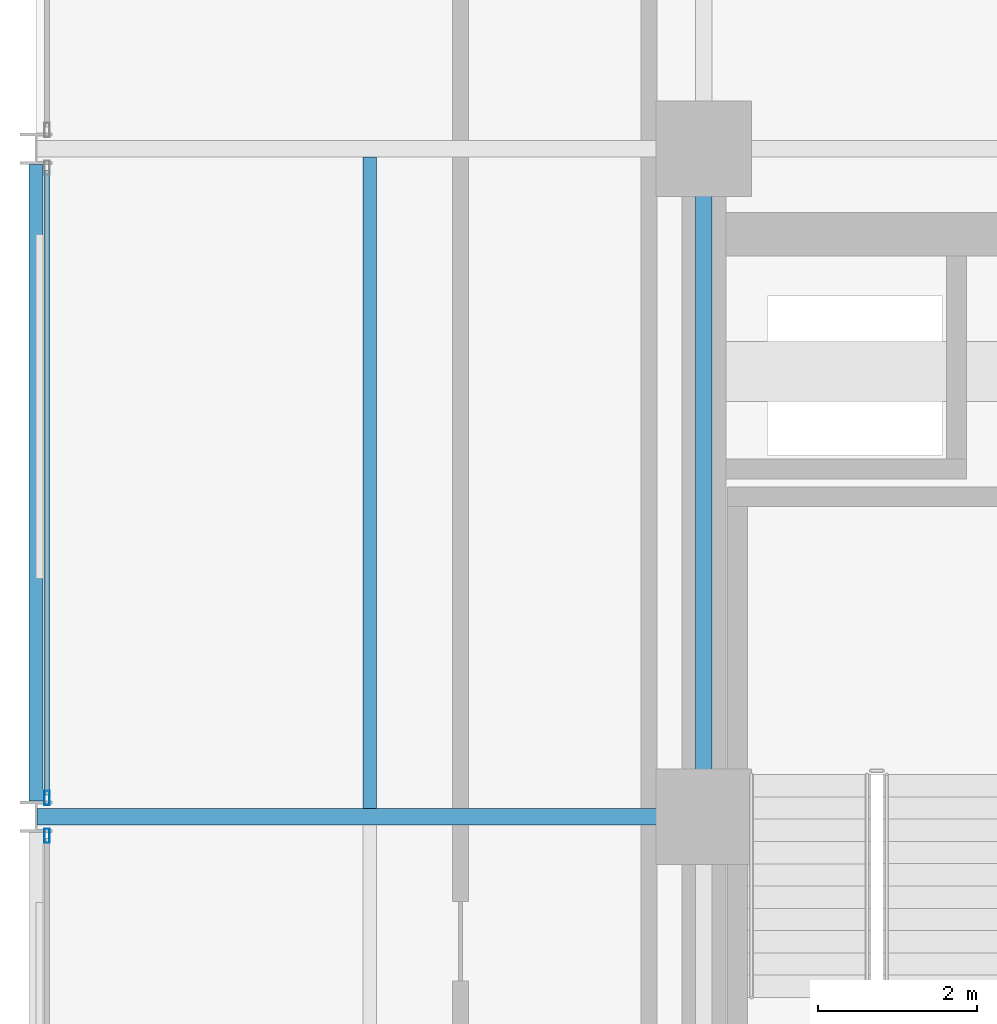
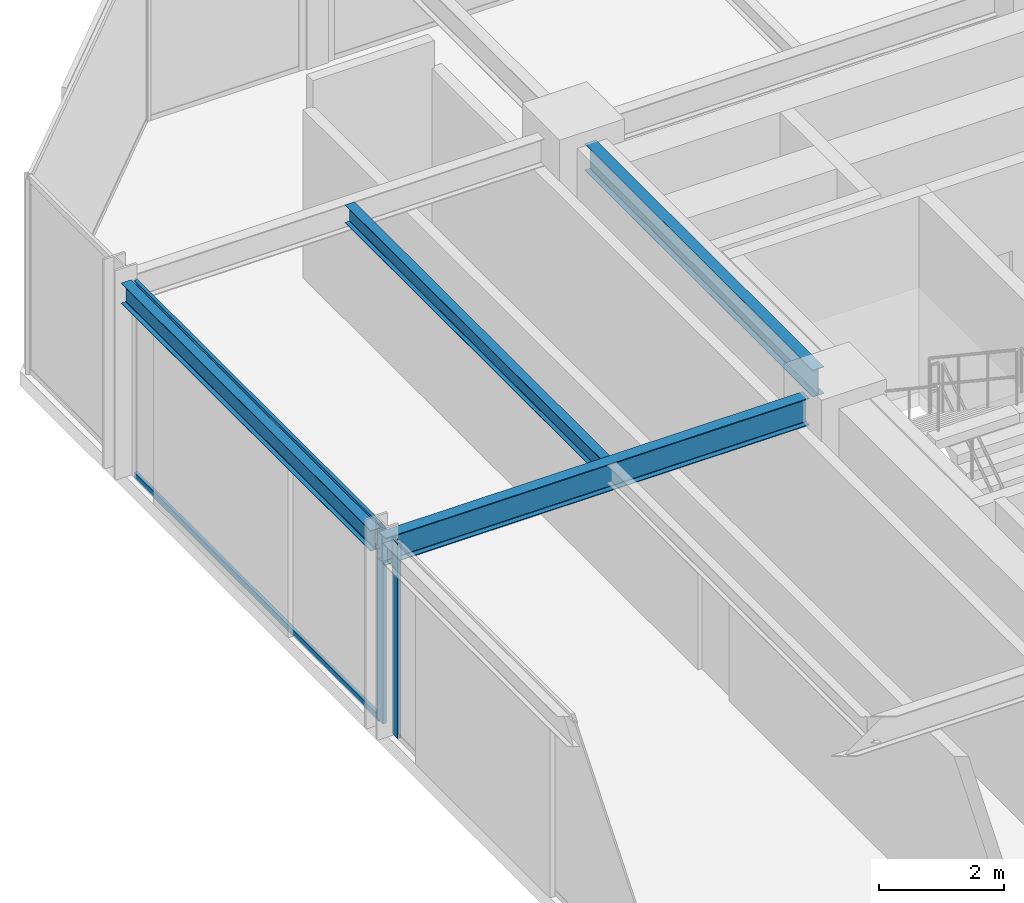
# One storey, part 16 of 29: 4 beams, 4 members, 2 elements without a shape of their own.
"""IFC4 building model written with IfcOpenShell, lengths in metres."""

from ifc_helpers import new_model, si_unit, direction, frame, origin, origin_2d, place, context, subcontext, project, spatial, hollow_rectangle, i_section, extrude, material, layer, layer_set, material_profile, profile_set, type_object, element, aggregate, save


model = new_model("IFC4")

# Units and contexts
model_context = context("Model", 3, precision=1e-05, world=origin(), true_north=direction((0.0, 1.0)))
body_context = subcontext(model_context, "Body", "Model", "MODEL_VIEW")
ifc_project = project(units=[si_unit("LENGTHUNIT", "METRE"), si_unit("AREAUNIT", "SQUARE_METRE"), si_unit("VOLUMEUNIT", "CUBIC_METRE"), si_unit("PLANEANGLEUNIT", "RADIAN"), si_unit("MASSUNIT", "GRAM", prefix="KILO")], contexts=[model_context])

# Site, building, storey
site_placement = place(None, origin())
site = spatial("IfcSite", under=ifc_project, at=site_placement, CompositionType="ELEMENT")
building_placement = place(site_placement, origin())
building = spatial("IfcBuilding", under=site, at=building_placement, Name="Nerrivon Quay Data Exchange", CompositionType="ELEMENT")
storey_placement = place(building_placement, frame((0.0, 0.0, 125.39990234375)))
storey = spatial("IfcBuildingStorey", under=building, at=storey_placement, Name="L29", CompositionType="ELEMENT", Elevation=125.39990234375)

# Beams
ifc_material_1 = material(Name="Steel Grade 350", Category="steel")
ifc_material_profile_1 = material_profile(ifc_material_1, i_section(OverallWidth=0.208984375, OverallDepth=0.532958984375, WebThickness=0.01025390625, FlangeThickness=0.015625, FilletRadius=0.013916015625, at=origin_2d()), Name="530UB92.4")
ifc_profile_set_1 = profile_set([ifc_material_profile_1], Name="Steel Grade 350")
beam_type_1 = type_object("IfcBeamType", Name="BM-G3-530UB92", PredefinedType="BEAM", material=ifc_profile_set_1)
beam_1_placement = place(storey_placement, frame((0.012451171875, 33.60009765625, 3.55859375), z_axis=(1.0, 0.0, 0.0), x_axis=(0.0, 1.0, 0.0)))
element("IfcBeam", 1, at=beam_1_placement, inside=storey, type_object=beam_type_1, Name="L29 EW Girder Y=33.6 (0.0..8.4)", PredefinedType="BEAM", context=body_context, shape_type="SweptSolid", body=[
    extrude(i_section(OverallWidth=0.208984375, OverallDepth=0.532958984375, WebThickness=0.01025390625, FlangeThickness=0.015625, FilletRadius=0.013916015625, at=origin_2d()), origin(), (0.0, 0.0, 1.0), 7.84765625),
])
ifc_material_profile_2 = material_profile(ifc_material_1, i_section(OverallWidth=0.208984375, OverallDepth=0.528076171875, WebThickness=0.009521484375, FlangeThickness=0.01318359375, FilletRadius=0.013916015625, at=origin_2d()), Name="530UB82.0")
ifc_profile_set_2 = profile_set([ifc_material_profile_2], Name="Steel Grade 350")
beam_type_2 = type_object("IfcBeamType", Name="BM-G4-530UB82", PredefinedType="BEAM", material=ifc_profile_set_2)
beam_2_placement = place(storey_placement, frame((8.39990234375, 34.139892578125, 3.56103515625), z_axis=(0.0, 1.0, 0.0), x_axis=(-1.0, 0.0, 0.0)))
element("IfcBeam", 2, at=beam_2_placement, inside=storey, type_object=beam_type_2, Name="L29 NS Girder X=8.4 (33.6..42.0)", PredefinedType="BEAM", context=body_context, shape_type="SweptSolid", body=[
    extrude(i_section(OverallWidth=0.208984375, OverallDepth=0.528076171875, WebThickness=0.009521484375, FlangeThickness=0.01318359375, FilletRadius=0.013916015625, at=origin_2d()), origin(), (0.0, 0.0, 1.0), 7.320068359375),
])
ifc_material_profile_3 = material_profile(ifc_material_1, i_section(OverallWidth=0.1708984375, OverallDepth=0.35595703125, WebThickness=0.00732421875, FlangeThickness=0.011474609375, FilletRadius=0.011474609375, at=origin_2d()), Name="360UB50.7")
ifc_profile_set_3 = profile_set([ifc_material_profile_3], Name="Steel Grade 350")
beam_type_3 = type_object("IfcBeamType", Name="BM-J4-360UB51", PredefinedType="JOIST", material=ifc_profile_set_3)
beam_3_placement = place(storey_placement, frame((4.199951171875, 33.70458984375, 3.647216796875), z_axis=(0.0, 1.0, 0.0), x_axis=(-1.0, 0.0, 0.0)))
element("IfcBeam", 3, at=beam_3_placement, inside=storey, type_object=beam_type_3, Name="L29 Secondary Joist X=4.2 (33.6..42.0)", PredefinedType="JOIST", context=body_context, shape_type="SweptSolid", body=[
    extrude(i_section(OverallWidth=0.1708984375, OverallDepth=0.35595703125, WebThickness=0.00732421875, FlangeThickness=0.011474609375, FilletRadius=0.011474609375, at=origin_2d()), origin(), (0.0, 0.0, 1.0), 8.19091796875),
])
ifc_material_profile_4 = material_profile(ifc_material_1, i_section(OverallWidth=0.177978515625, OverallDepth=0.403076171875, WebThickness=0.007568359375, FlangeThickness=0.010986328125, FilletRadius=0.011474609375, at=origin_2d()), Name="410UB53.7")
ifc_profile_set_4 = profile_set([ifc_material_profile_4], Name="Steel Grade 350")
beam_type_4 = type_object("IfcBeamType", Name="BM-SP2-410UB54", PredefinedType="SPANDREL", material=ifc_profile_set_4)
beam_4_placement = place(storey_placement, frame((0.0, 33.800048828125, 3.62353515625), z_axis=(0.0, 1.0, 0.0), x_axis=(-1.0, 0.0, 0.0)))
element("IfcBeam", 4, at=beam_4_placement, inside=storey, type_object=beam_type_4, Name="L29 NS Girder X=0.0 (33.6..42.0)", PredefinedType="SPANDREL", context=body_context, shape_type="SweptSolid", body=[
    extrude(i_section(OverallWidth=0.177978515625, OverallDepth=0.403076171875, WebThickness=0.007568359375, FlangeThickness=0.010986328125, FilletRadius=0.011474609375, at=origin_2d()), origin(), (0.0, 0.0, 1.0), 8.0),
])

# Curtain wall, member
ifc_material_2 = material(Name="Anodised aluminium 6063-T6", Category="aluminium")
ifc_layer = layer(ifc_material_2, 0.2099609375)
ifc_layer_set = layer_set([ifc_layer], Name="Anodised aluminium 6063-T6")
curtain_wall_type = type_object("IfcCurtainWallType", Name="CW-SYS-02", PredefinedType="NOTDEFINED", material=ifc_layer_set)
curtain_wall_1_placement = place(storey_placement, origin())
curtain_wall_1 = element("IfcCurtainWall", 5, at=curtain_wall_1_placement, inside=storey, type_object=curtain_wall_type, Name="L29 Unitised Curtain Wall 14", PredefinedType="NOTDEFINED")
ifc_material_profile_5 = material_profile(ifc_material_2, hollow_rectangle(XDim=0.06494140625, YDim=0.179931640625, WallThickness=0.00341796875, at=origin_2d()), Name="ALU-MULL-180x65")
ifc_profile_set_5 = profile_set([ifc_material_profile_5], Name="Anodised aluminium 6063-T6")
member_type_1 = type_object("IfcMemberType", Name="CWM-180x65", PredefinedType="MULLION", material=ifc_profile_set_5)
member_1_placement = place(storey_placement, frame((0.139892578125, 33.362548828125, 0.0), z_axis=(0.0, 0.0, 1.0), x_axis=(-1.0, 0.0, 0.0)))
member_1 = element("IfcMember", 6, at=member_1_placement, type_object=member_type_1, Name="CW02 mullion 2", PredefinedType="MULLION", context=body_context, shape_type="SweptSolid", body=[
    extrude(hollow_rectangle(XDim=0.06494140625, YDim=0.179931640625, WallThickness=0.00341796875, at=origin_2d()), origin(), (0.0, 0.0, 1.0), 3.8251953125),
])
aggregate(curtain_wall_1, [member_1])

# Curtain wall, members
curtain_wall_2_placement = place(storey_placement, origin())
curtain_wall_2 = element("IfcCurtainWall", 7, at=curtain_wall_2_placement, inside=storey, type_object=curtain_wall_type, Name="L29 Unitised Curtain Wall 15", PredefinedType="NOTDEFINED")
member_2_placement = place(storey_placement, frame((0.139892578125, 33.83740234375, 0.0), z_axis=(0.0, 0.0, 1.0), x_axis=(-1.0, 0.0, 0.0)))
member_2 = element("IfcMember", 8, at=member_2_placement, type_object=member_type_1, Name="CW02 mullion 1", PredefinedType="MULLION", context=body_context, shape_type="SweptSolid", body=[
    extrude(hollow_rectangle(XDim=0.06494140625, YDim=0.179931640625, WallThickness=0.00341796875, at=origin_2d()), origin(), (0.0, 0.0, 1.0), 3.8251953125),
])
ifc_material_profile_6 = material_profile(ifc_material_2, hollow_rectangle(XDim=0.06005859375, YDim=0.1201171875, WallThickness=0.003173828125, at=origin_2d()), Name="ALU-TRAN-120x60")
ifc_profile_set_6 = profile_set([ifc_material_profile_6], Name="Anodised aluminium 6063-T6")
member_type_2 = type_object("IfcMemberType", Name="CWT-120x60", PredefinedType="USERDEFINED", material=ifc_profile_set_6)
member_3_placement = place(storey_placement, frame((0.139892578125, 33.875, 0.03271484375), z_axis=(0.0, 1.0, 0.0), x_axis=(-1.0, 0.0, 0.0)))
member_3 = element("IfcMember", 9, at=member_3_placement, type_object=member_type_2, Name="CW02 transom 1.1", ObjectType="TRANSOM", PredefinedType="USERDEFINED", context=body_context, shape_type="SweptSolid", body=[
    extrude(hollow_rectangle(XDim=0.06005859375, YDim=0.1201171875, WallThickness=0.003173828125, at=origin_2d()), origin(), (0.0, 0.0, 1.0), 7.85009765625),
])
member_4_placement = place(storey_placement, frame((0.139892578125, 33.875, 3.79248046875), z_axis=(0.0, 1.0, 0.0), x_axis=(-1.0, 0.0, 0.0)))
member_4 = element("IfcMember", 10, at=member_4_placement, type_object=member_type_2, Name="CW02 transom 1.2", ObjectType="TRANSOM", PredefinedType="USERDEFINED", context=body_context, shape_type="SweptSolid", body=[
    extrude(hollow_rectangle(XDim=0.06005859375, YDim=0.1201171875, WallThickness=0.003173828125, at=origin_2d()), origin(), (0.0, 0.0, 1.0), 7.85009765625),
])
aggregate(curtain_wall_2, [member_2, member_3, member_4])

save(model, "model.ifc")
